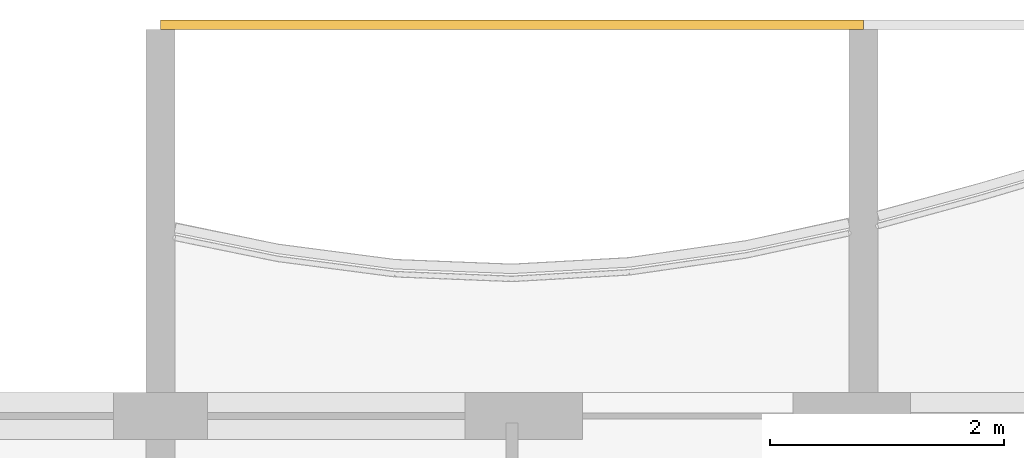
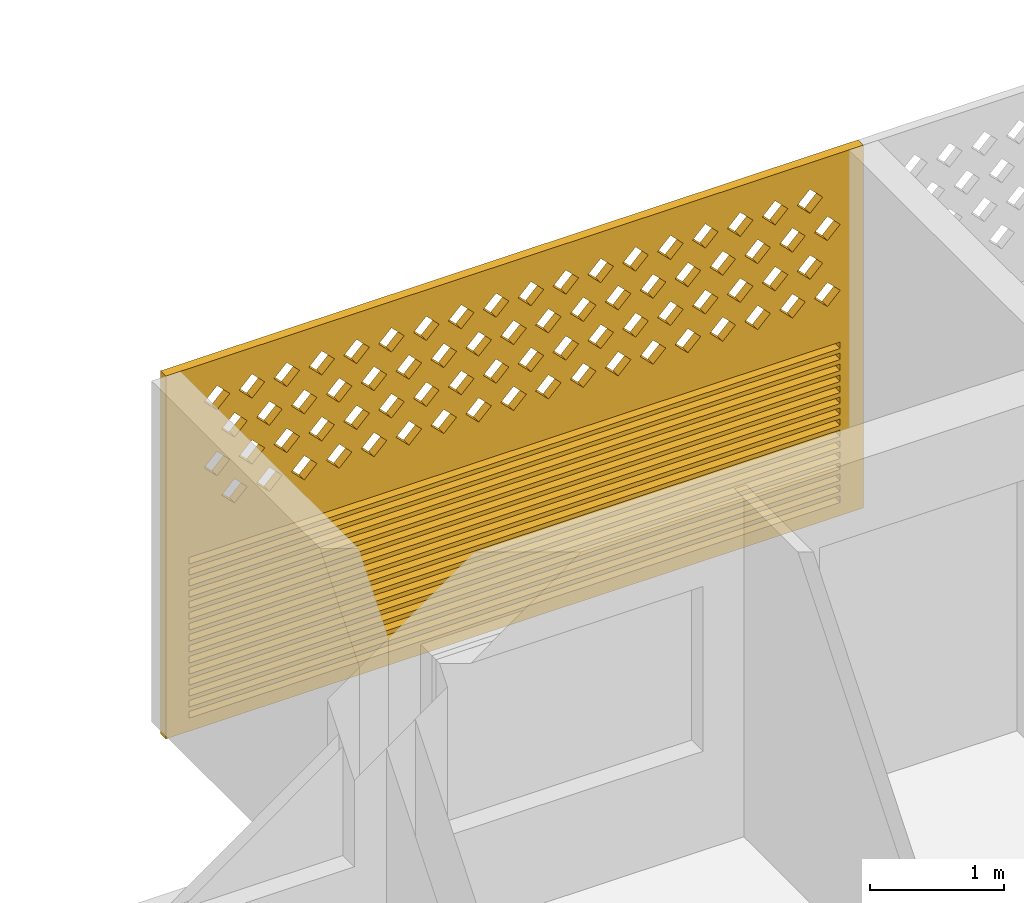
# One storey, part 20 of 26: 1 covering.
"""IFC4 building model written with IfcOpenShell, lengths in metres."""

from ifc_helpers import new_model, si_unit, direction, frame, origin, place, context, subcontext, project, spatial, polyline, outline, extrude, source, transform, mapped, material, material_profile, profile_set, type_object, element, save


model = new_model("IFC4")

# Units and contexts
model_context = context("Model", 3, precision=1e-05, world=origin(), true_north=direction((0.0, 1.0)))
body_context = subcontext(model_context, "Body", "Model", "MODEL_VIEW")
ifc_project = project(units=[si_unit("LENGTHUNIT", "METRE"), si_unit("AREAUNIT", "SQUARE_METRE"), si_unit("VOLUMEUNIT", "CUBIC_METRE"), si_unit("PLANEANGLEUNIT", "RADIAN"), si_unit("MASSUNIT", "GRAM", prefix="KILO")], contexts=[model_context])

# Site, building, storey
site_placement = place(None, origin())
site = spatial("IfcSite", under=ifc_project, at=site_placement, CompositionType="ELEMENT")
building_placement = place(site_placement, origin())
building = spatial("IfcBuilding", under=site, at=building_placement, Name="Poui Terraces", CompositionType="ELEMENT")
storey_placement = place(building_placement, frame((0.0, 0.0, 175.199951171875)))
storey = spatial("IfcBuildingStorey", under=building, at=storey_placement, Name="L48", CompositionType="ELEMENT", Elevation=175.199951171875)

# Covering
ifc_material = material(Name="Terracotta screen", Category="masonry")
ifc_material_profile = material_profile(ifc_material, outline(polyline([(-3.0, -1.64990234375), (3.0, -1.64990234375), (3.0, 1.64990234375), (-3.0, 1.64990234375), (-3.0, -1.64990234375)]), holes=[polyline([(-2.800048828125, 0.39990234375), (-2.68994140625, 0.2900390625), (-2.580078125, 0.39990234375), (-2.68994140625, 0.510009765625), (-2.800048828125, 0.39990234375)]), polyline([(-2.5, 0.39990234375), (-2.389892578125, 0.2900390625), (-2.280029296875, 0.39990234375), (-2.389892578125, 0.510009765625), (-2.5, 0.39990234375)]), polyline([(-2.199951171875, 0.39990234375), (-2.090087890625, 0.2900390625), (-1.97998046875, 0.39990234375), (-2.090087890625, 0.510009765625), (-2.199951171875, 0.39990234375)]), polyline([(-1.89990234375, 0.39990234375), (-1.7900390625, 0.2900390625), (-1.679931640625, 0.39990234375), (-1.7900390625, 0.510009765625), (-1.89990234375, 0.39990234375)]), polyline([(-1.60009765625, 0.39990234375), (-1.489990234375, 0.2900390625), (-1.3798828125, 0.39990234375), (-1.489990234375, 0.510009765625), (-1.60009765625, 0.39990234375)]), polyline([(-1.300048828125, 0.39990234375), (-1.18994140625, 0.2900390625), (-1.080078125, 0.39990234375), (-1.18994140625, 0.510009765625), (-1.300048828125, 0.39990234375)]), polyline([(-1.0, 0.39990234375), (-0.889892578125, 0.2900390625), (-0.780029296875, 0.39990234375), (-0.889892578125, 0.510009765625), (-1.0, 0.39990234375)]), polyline([(-0.699951171875, 0.39990234375), (-0.590087890625, 0.2900390625), (-0.47998046875, 0.39990234375), (-0.590087890625, 0.510009765625), (-0.699951171875, 0.39990234375)]), polyline([(-0.39990234375, 0.39990234375), (-0.2900390625, 0.2900390625), (-0.179931640625, 0.39990234375), (-0.2900390625, 0.510009765625), (-0.39990234375, 0.39990234375)]), polyline([(-0.10009765625, 0.39990234375), (0.010009765625, 0.2900390625), (0.1201171875, 0.39990234375), (0.010009765625, 0.510009765625), (-0.10009765625, 0.39990234375)]), polyline([(0.199951171875, 0.39990234375), (0.31005859375, 0.2900390625), (0.419921875, 0.39990234375), (0.31005859375, 0.510009765625), (0.199951171875, 0.39990234375)]), polyline([(0.5, 0.39990234375), (0.610107421875, 0.2900390625), (0.719970703125, 0.39990234375), (0.610107421875, 0.510009765625), (0.5, 0.39990234375)]), polyline([(0.800048828125, 0.39990234375), (0.909912109375, 0.2900390625), (1.02001953125, 0.39990234375), (0.909912109375, 0.510009765625), (0.800048828125, 0.39990234375)]), polyline([(1.10009765625, 0.39990234375), (1.2099609375, 0.2900390625), (1.320068359375, 0.39990234375), (1.2099609375, 0.510009765625), (1.10009765625, 0.39990234375)]), polyline([(1.39990234375, 0.39990234375), (1.510009765625, 0.2900390625), (1.6201171875, 0.39990234375), (1.510009765625, 0.510009765625), (1.39990234375, 0.39990234375)]), polyline([(1.699951171875, 0.39990234375), (1.81005859375, 0.2900390625), (1.919921875, 0.39990234375), (1.81005859375, 0.510009765625), (1.699951171875, 0.39990234375)]), polyline([(2.0, 0.39990234375), (2.110107421875, 0.2900390625), (2.219970703125, 0.39990234375), (2.110107421875, 0.510009765625), (2.0, 0.39990234375)]), polyline([(2.300048828125, 0.39990234375), (2.409912109375, 0.2900390625), (2.52001953125, 0.39990234375), (2.409912109375, 0.510009765625), (2.300048828125, 0.39990234375)]), polyline([(-2.64990234375, 0.699951171875), (-2.5400390625, 0.590087890625), (-2.429931640625, 0.699951171875), (-2.5400390625, 0.81005859375), (-2.64990234375, 0.699951171875)]), polyline([(-2.35009765625, 0.699951171875), (-2.239990234375, 0.590087890625), (-2.1298828125, 0.699951171875), (-2.239990234375, 0.81005859375), (-2.35009765625, 0.699951171875)]), polyline([(-2.050048828125, 0.699951171875), (-1.93994140625, 0.590087890625), (-1.830078125, 0.699951171875), (-1.93994140625, 0.81005859375), (-2.050048828125, 0.699951171875)]), polyline([(-1.75, 0.699951171875), (-1.639892578125, 0.590087890625), (-1.530029296875, 0.699951171875), (-1.639892578125, 0.81005859375), (-1.75, 0.699951171875)]), polyline([(-1.449951171875, 0.699951171875), (-1.340087890625, 0.590087890625), (-1.22998046875, 0.699951171875), (-1.340087890625, 0.81005859375), (-1.449951171875, 0.699951171875)]), polyline([(-1.14990234375, 0.699951171875), (-1.0400390625, 0.590087890625), (-0.929931640625, 0.699951171875), (-1.0400390625, 0.81005859375), (-1.14990234375, 0.699951171875)]), polyline([(-0.85009765625, 0.699951171875), (-0.739990234375, 0.590087890625), (-0.6298828125, 0.699951171875), (-0.739990234375, 0.81005859375), (-0.85009765625, 0.699951171875)]), polyline([(-0.550048828125, 0.699951171875), (-0.43994140625, 0.590087890625), (-0.330078125, 0.699951171875), (-0.43994140625, 0.81005859375), (-0.550048828125, 0.699951171875)]), polyline([(-0.25, 0.699951171875), (-0.139892578125, 0.590087890625), (-0.030029296875, 0.699951171875), (-0.139892578125, 0.81005859375), (-0.25, 0.699951171875)]), polyline([(0.050048828125, 0.699951171875), (0.159912109375, 0.590087890625), (0.27001953125, 0.699951171875), (0.159912109375, 0.81005859375), (0.050048828125, 0.699951171875)]), polyline([(0.35009765625, 0.699951171875), (0.4599609375, 0.590087890625), (0.570068359375, 0.699951171875), (0.4599609375, 0.81005859375), (0.35009765625, 0.699951171875)]), polyline([(0.64990234375, 0.699951171875), (0.760009765625, 0.590087890625), (0.8701171875, 0.699951171875), (0.760009765625, 0.81005859375), (0.64990234375, 0.699951171875)]), polyline([(0.949951171875, 0.699951171875), (1.06005859375, 0.590087890625), (1.169921875, 0.699951171875), (1.06005859375, 0.81005859375), (0.949951171875, 0.699951171875)]), polyline([(1.25, 0.699951171875), (1.360107421875, 0.590087890625), (1.469970703125, 0.699951171875), (1.360107421875, 0.81005859375), (1.25, 0.699951171875)]), polyline([(1.550048828125, 0.699951171875), (1.659912109375, 0.590087890625), (1.77001953125, 0.699951171875), (1.659912109375, 0.81005859375), (1.550048828125, 0.699951171875)]), polyline([(1.85009765625, 0.699951171875), (1.9599609375, 0.590087890625), (2.070068359375, 0.699951171875), (1.9599609375, 0.81005859375), (1.85009765625, 0.699951171875)]), polyline([(2.14990234375, 0.699951171875), (2.260009765625, 0.590087890625), (2.3701171875, 0.699951171875), (2.260009765625, 0.81005859375), (2.14990234375, 0.699951171875)]), polyline([(2.449951171875, 0.699951171875), (2.56005859375, 0.590087890625), (2.669921875, 0.699951171875), (2.56005859375, 0.81005859375), (2.449951171875, 0.699951171875)]), polyline([(-2.800048828125, 1.0), (-2.68994140625, 0.889892578125), (-2.580078125, 1.0), (-2.68994140625, 1.110107421875), (-2.800048828125, 1.0)]), polyline([(-2.5, 1.0), (-2.389892578125, 0.889892578125), (-2.280029296875, 1.0), (-2.389892578125, 1.110107421875), (-2.5, 1.0)]), polyline([(-2.199951171875, 1.0), (-2.090087890625, 0.889892578125), (-1.97998046875, 1.0), (-2.090087890625, 1.110107421875), (-2.199951171875, 1.0)]), polyline([(-1.89990234375, 1.0), (-1.7900390625, 0.889892578125), (-1.679931640625, 1.0), (-1.7900390625, 1.110107421875), (-1.89990234375, 1.0)]), polyline([(-1.60009765625, 1.0), (-1.489990234375, 0.889892578125), (-1.3798828125, 1.0), (-1.489990234375, 1.110107421875), (-1.60009765625, 1.0)]), polyline([(-1.300048828125, 1.0), (-1.18994140625, 0.889892578125), (-1.080078125, 1.0), (-1.18994140625, 1.110107421875), (-1.300048828125, 1.0)]), polyline([(-1.0, 1.0), (-0.889892578125, 0.889892578125), (-0.780029296875, 1.0), (-0.889892578125, 1.110107421875), (-1.0, 1.0)]), polyline([(-0.699951171875, 1.0), (-0.590087890625, 0.889892578125), (-0.47998046875, 1.0), (-0.590087890625, 1.110107421875), (-0.699951171875, 1.0)]), polyline([(-0.39990234375, 1.0), (-0.2900390625, 0.889892578125), (-0.179931640625, 1.0), (-0.2900390625, 1.110107421875), (-0.39990234375, 1.0)]), polyline([(-0.10009765625, 1.0), (0.010009765625, 0.889892578125), (0.1201171875, 1.0), (0.010009765625, 1.110107421875), (-0.10009765625, 1.0)]), polyline([(0.199951171875, 1.0), (0.31005859375, 0.889892578125), (0.419921875, 1.0), (0.31005859375, 1.110107421875), (0.199951171875, 1.0)]), polyline([(0.5, 1.0), (0.610107421875, 0.889892578125), (0.719970703125, 1.0), (0.610107421875, 1.110107421875), (0.5, 1.0)]), polyline([(0.800048828125, 1.0), (0.909912109375, 0.889892578125), (1.02001953125, 1.0), (0.909912109375, 1.110107421875), (0.800048828125, 1.0)]), polyline([(1.10009765625, 1.0), (1.2099609375, 0.889892578125), (1.320068359375, 1.0), (1.2099609375, 1.110107421875), (1.10009765625, 1.0)]), polyline([(1.39990234375, 1.0), (1.510009765625, 0.889892578125), (1.6201171875, 1.0), (1.510009765625, 1.110107421875), (1.39990234375, 1.0)]), polyline([(1.699951171875, 1.0), (1.81005859375, 0.889892578125), (1.919921875, 1.0), (1.81005859375, 1.110107421875), (1.699951171875, 1.0)]), polyline([(2.0, 1.0), (2.110107421875, 0.889892578125), (2.219970703125, 1.0), (2.110107421875, 1.110107421875), (2.0, 1.0)]), polyline([(2.300048828125, 1.0), (2.409912109375, 0.889892578125), (2.52001953125, 1.0), (2.409912109375, 1.110107421875), (2.300048828125, 1.0)]), polyline([(-2.64990234375, 1.300048828125), (-2.5400390625, 1.18994140625), (-2.429931640625, 1.300048828125), (-2.5400390625, 1.409912109375), (-2.64990234375, 1.300048828125)]), polyline([(-2.35009765625, 1.300048828125), (-2.239990234375, 1.18994140625), (-2.1298828125, 1.300048828125), (-2.239990234375, 1.409912109375), (-2.35009765625, 1.300048828125)]), polyline([(-2.050048828125, 1.300048828125), (-1.93994140625, 1.18994140625), (-1.830078125, 1.300048828125), (-1.93994140625, 1.409912109375), (-2.050048828125, 1.300048828125)]), polyline([(-1.75, 1.300048828125), (-1.639892578125, 1.18994140625), (-1.530029296875, 1.300048828125), (-1.639892578125, 1.409912109375), (-1.75, 1.300048828125)]), polyline([(-1.449951171875, 1.300048828125), (-1.340087890625, 1.18994140625), (-1.22998046875, 1.300048828125), (-1.340087890625, 1.409912109375), (-1.449951171875, 1.300048828125)]), polyline([(-1.14990234375, 1.300048828125), (-1.0400390625, 1.18994140625), (-0.929931640625, 1.300048828125), (-1.0400390625, 1.409912109375), (-1.14990234375, 1.300048828125)]), polyline([(-0.85009765625, 1.300048828125), (-0.739990234375, 1.18994140625), (-0.6298828125, 1.300048828125), (-0.739990234375, 1.409912109375), (-0.85009765625, 1.300048828125)]), polyline([(-0.550048828125, 1.300048828125), (-0.43994140625, 1.18994140625), (-0.330078125, 1.300048828125), (-0.43994140625, 1.409912109375), (-0.550048828125, 1.300048828125)]), polyline([(-0.25, 1.300048828125), (-0.139892578125, 1.18994140625), (-0.030029296875, 1.300048828125), (-0.139892578125, 1.409912109375), (-0.25, 1.300048828125)]), polyline([(0.050048828125, 1.300048828125), (0.159912109375, 1.18994140625), (0.27001953125, 1.300048828125), (0.159912109375, 1.409912109375), (0.050048828125, 1.300048828125)]), polyline([(0.35009765625, 1.300048828125), (0.4599609375, 1.18994140625), (0.570068359375, 1.300048828125), (0.4599609375, 1.409912109375), (0.35009765625, 1.300048828125)]), polyline([(0.64990234375, 1.300048828125), (0.760009765625, 1.18994140625), (0.8701171875, 1.300048828125), (0.760009765625, 1.409912109375), (0.64990234375, 1.300048828125)]), polyline([(0.949951171875, 1.300048828125), (1.06005859375, 1.18994140625), (1.169921875, 1.300048828125), (1.06005859375, 1.409912109375), (0.949951171875, 1.300048828125)]), polyline([(1.25, 1.300048828125), (1.360107421875, 1.18994140625), (1.469970703125, 1.300048828125), (1.360107421875, 1.409912109375), (1.25, 1.300048828125)]), polyline([(1.550048828125, 1.300048828125), (1.659912109375, 1.18994140625), (1.77001953125, 1.300048828125), (1.659912109375, 1.409912109375), (1.550048828125, 1.300048828125)]), polyline([(1.85009765625, 1.300048828125), (1.9599609375, 1.18994140625), (2.070068359375, 1.300048828125), (1.9599609375, 1.409912109375), (1.85009765625, 1.300048828125)]), polyline([(2.14990234375, 1.300048828125), (2.260009765625, 1.18994140625), (2.3701171875, 1.300048828125), (2.260009765625, 1.409912109375), (2.14990234375, 1.300048828125)]), polyline([(2.449951171875, 1.300048828125), (2.56005859375, 1.18994140625), (2.669921875, 1.300048828125), (2.56005859375, 1.409912109375), (2.449951171875, 1.300048828125)]), polyline([(-2.800048828125, -1.530029296875), (2.800048828125, -1.530029296875), (2.800048828125, -1.469970703125), (-2.800048828125, -1.469970703125), (-2.800048828125, -1.530029296875)]), polyline([(-2.800048828125, -1.429931640625), (2.800048828125, -1.429931640625), (2.800048828125, -1.3701171875), (-2.800048828125, -1.3701171875), (-2.800048828125, -1.429931640625)]), polyline([(-2.800048828125, -1.330078125), (2.800048828125, -1.330078125), (2.800048828125, -1.27001953125), (-2.800048828125, -1.27001953125), (-2.800048828125, -1.330078125)]), polyline([(-2.800048828125, -1.22998046875), (2.800048828125, -1.22998046875), (2.800048828125, -1.169921875), (-2.800048828125, -1.169921875), (-2.800048828125, -1.22998046875)]), polyline([(-2.800048828125, -1.1298828125), (2.800048828125, -1.1298828125), (2.800048828125, -1.070068359375), (-2.800048828125, -1.070068359375), (-2.800048828125, -1.1298828125)]), polyline([(-2.800048828125, -1.030029296875), (2.800048828125, -1.030029296875), (2.800048828125, -0.969970703125), (-2.800048828125, -0.969970703125), (-2.800048828125, -1.030029296875)]), polyline([(-2.800048828125, -0.929931640625), (2.800048828125, -0.929931640625), (2.800048828125, -0.8701171875), (-2.800048828125, -0.8701171875), (-2.800048828125, -0.929931640625)]), polyline([(-2.800048828125, -0.830078125), (2.800048828125, -0.830078125), (2.800048828125, -0.77001953125), (-2.800048828125, -0.77001953125), (-2.800048828125, -0.830078125)]), polyline([(-2.800048828125, -0.72998046875), (2.800048828125, -0.72998046875), (2.800048828125, -0.669921875), (-2.800048828125, -0.669921875), (-2.800048828125, -0.72998046875)]), polyline([(-2.800048828125, -0.6298828125), (2.800048828125, -0.6298828125), (2.800048828125, -0.570068359375), (-2.800048828125, -0.570068359375), (-2.800048828125, -0.6298828125)]), polyline([(-2.800048828125, -0.530029296875), (2.800048828125, -0.530029296875), (2.800048828125, -0.469970703125), (-2.800048828125, -0.469970703125), (-2.800048828125, -0.530029296875)]), polyline([(-2.800048828125, -0.429931640625), (2.800048828125, -0.429931640625), (2.800048828125, -0.3701171875), (-2.800048828125, -0.3701171875), (-2.800048828125, -0.429931640625)]), polyline([(-2.800048828125, -0.330078125), (2.800048828125, -0.330078125), (2.800048828125, -0.27001953125), (-2.800048828125, -0.27001953125), (-2.800048828125, -0.330078125)]), polyline([(-2.800048828125, -0.22998046875), (2.800048828125, -0.22998046875), (2.800048828125, -0.169921875), (-2.800048828125, -0.169921875), (-2.800048828125, -0.22998046875)]), polyline([(-2.800048828125, -0.1298828125), (2.800048828125, -0.1298828125), (2.800048828125, -0.070068359375), (-2.800048828125, -0.070068359375), (-2.800048828125, -0.1298828125)])]), Name="TERRACOTTA SCREEN AND JALOUSIE LOUVRE 6000X3300")
ifc_profile_set = profile_set([ifc_material_profile], Name="Terracotta screen")
covering_type = type_object("IfcCoveringType", Name="TERRACOTTA SCREEN AND JALOUSIE LOUVRE 6000X3300", PredefinedType="CLADDING", material=ifc_profile_set)
shared_shape = source(origin(), body_context, "Body", "SweptSolid", [
    extrude(outline(polyline([(-3.0, -1.64990234375), (3.0, -1.64990234375), (3.0, 1.64990234375), (-3.0, 1.64990234375), (-3.0, -1.64990234375)]), holes=[polyline([(-2.800048828125, 0.39990234375), (-2.68994140625, 0.2900390625), (-2.580078125, 0.39990234375), (-2.68994140625, 0.510009765625), (-2.800048828125, 0.39990234375)]), polyline([(-2.5, 0.39990234375), (-2.389892578125, 0.2900390625), (-2.280029296875, 0.39990234375), (-2.389892578125, 0.510009765625), (-2.5, 0.39990234375)]), polyline([(-2.199951171875, 0.39990234375), (-2.090087890625, 0.2900390625), (-1.97998046875, 0.39990234375), (-2.090087890625, 0.510009765625), (-2.199951171875, 0.39990234375)]), polyline([(-1.89990234375, 0.39990234375), (-1.7900390625, 0.2900390625), (-1.679931640625, 0.39990234375), (-1.7900390625, 0.510009765625), (-1.89990234375, 0.39990234375)]), polyline([(-1.60009765625, 0.39990234375), (-1.489990234375, 0.2900390625), (-1.3798828125, 0.39990234375), (-1.489990234375, 0.510009765625), (-1.60009765625, 0.39990234375)]), polyline([(-1.300048828125, 0.39990234375), (-1.18994140625, 0.2900390625), (-1.080078125, 0.39990234375), (-1.18994140625, 0.510009765625), (-1.300048828125, 0.39990234375)]), polyline([(-1.0, 0.39990234375), (-0.889892578125, 0.2900390625), (-0.780029296875, 0.39990234375), (-0.889892578125, 0.510009765625), (-1.0, 0.39990234375)]), polyline([(-0.699951171875, 0.39990234375), (-0.590087890625, 0.2900390625), (-0.47998046875, 0.39990234375), (-0.590087890625, 0.510009765625), (-0.699951171875, 0.39990234375)]), polyline([(-0.39990234375, 0.39990234375), (-0.2900390625, 0.2900390625), (-0.179931640625, 0.39990234375), (-0.2900390625, 0.510009765625), (-0.39990234375, 0.39990234375)]), polyline([(-0.10009765625, 0.39990234375), (0.010009765625, 0.2900390625), (0.1201171875, 0.39990234375), (0.010009765625, 0.510009765625), (-0.10009765625, 0.39990234375)]), polyline([(0.199951171875, 0.39990234375), (0.31005859375, 0.2900390625), (0.419921875, 0.39990234375), (0.31005859375, 0.510009765625), (0.199951171875, 0.39990234375)]), polyline([(0.5, 0.39990234375), (0.610107421875, 0.2900390625), (0.719970703125, 0.39990234375), (0.610107421875, 0.510009765625), (0.5, 0.39990234375)]), polyline([(0.800048828125, 0.39990234375), (0.909912109375, 0.2900390625), (1.02001953125, 0.39990234375), (0.909912109375, 0.510009765625), (0.800048828125, 0.39990234375)]), polyline([(1.10009765625, 0.39990234375), (1.2099609375, 0.2900390625), (1.320068359375, 0.39990234375), (1.2099609375, 0.510009765625), (1.10009765625, 0.39990234375)]), polyline([(1.39990234375, 0.39990234375), (1.510009765625, 0.2900390625), (1.6201171875, 0.39990234375), (1.510009765625, 0.510009765625), (1.39990234375, 0.39990234375)]), polyline([(1.699951171875, 0.39990234375), (1.81005859375, 0.2900390625), (1.919921875, 0.39990234375), (1.81005859375, 0.510009765625), (1.699951171875, 0.39990234375)]), polyline([(2.0, 0.39990234375), (2.110107421875, 0.2900390625), (2.219970703125, 0.39990234375), (2.110107421875, 0.510009765625), (2.0, 0.39990234375)]), polyline([(2.300048828125, 0.39990234375), (2.409912109375, 0.2900390625), (2.52001953125, 0.39990234375), (2.409912109375, 0.510009765625), (2.300048828125, 0.39990234375)]), polyline([(-2.64990234375, 0.699951171875), (-2.5400390625, 0.590087890625), (-2.429931640625, 0.699951171875), (-2.5400390625, 0.81005859375), (-2.64990234375, 0.699951171875)]), polyline([(-2.35009765625, 0.699951171875), (-2.239990234375, 0.590087890625), (-2.1298828125, 0.699951171875), (-2.239990234375, 0.81005859375), (-2.35009765625, 0.699951171875)]), polyline([(-2.050048828125, 0.699951171875), (-1.93994140625, 0.590087890625), (-1.830078125, 0.699951171875), (-1.93994140625, 0.81005859375), (-2.050048828125, 0.699951171875)]), polyline([(-1.75, 0.699951171875), (-1.639892578125, 0.590087890625), (-1.530029296875, 0.699951171875), (-1.639892578125, 0.81005859375), (-1.75, 0.699951171875)]), polyline([(-1.449951171875, 0.699951171875), (-1.340087890625, 0.590087890625), (-1.22998046875, 0.699951171875), (-1.340087890625, 0.81005859375), (-1.449951171875, 0.699951171875)]), polyline([(-1.14990234375, 0.699951171875), (-1.0400390625, 0.590087890625), (-0.929931640625, 0.699951171875), (-1.0400390625, 0.81005859375), (-1.14990234375, 0.699951171875)]), polyline([(-0.85009765625, 0.699951171875), (-0.739990234375, 0.590087890625), (-0.6298828125, 0.699951171875), (-0.739990234375, 0.81005859375), (-0.85009765625, 0.699951171875)]), polyline([(-0.550048828125, 0.699951171875), (-0.43994140625, 0.590087890625), (-0.330078125, 0.699951171875), (-0.43994140625, 0.81005859375), (-0.550048828125, 0.699951171875)]), polyline([(-0.25, 0.699951171875), (-0.139892578125, 0.590087890625), (-0.030029296875, 0.699951171875), (-0.139892578125, 0.81005859375), (-0.25, 0.699951171875)]), polyline([(0.050048828125, 0.699951171875), (0.159912109375, 0.590087890625), (0.27001953125, 0.699951171875), (0.159912109375, 0.81005859375), (0.050048828125, 0.699951171875)]), polyline([(0.35009765625, 0.699951171875), (0.4599609375, 0.590087890625), (0.570068359375, 0.699951171875), (0.4599609375, 0.81005859375), (0.35009765625, 0.699951171875)]), polyline([(0.64990234375, 0.699951171875), (0.760009765625, 0.590087890625), (0.8701171875, 0.699951171875), (0.760009765625, 0.81005859375), (0.64990234375, 0.699951171875)]), polyline([(0.949951171875, 0.699951171875), (1.06005859375, 0.590087890625), (1.169921875, 0.699951171875), (1.06005859375, 0.81005859375), (0.949951171875, 0.699951171875)]), polyline([(1.25, 0.699951171875), (1.360107421875, 0.590087890625), (1.469970703125, 0.699951171875), (1.360107421875, 0.81005859375), (1.25, 0.699951171875)]), polyline([(1.550048828125, 0.699951171875), (1.659912109375, 0.590087890625), (1.77001953125, 0.699951171875), (1.659912109375, 0.81005859375), (1.550048828125, 0.699951171875)]), polyline([(1.85009765625, 0.699951171875), (1.9599609375, 0.590087890625), (2.070068359375, 0.699951171875), (1.9599609375, 0.81005859375), (1.85009765625, 0.699951171875)]), polyline([(2.14990234375, 0.699951171875), (2.260009765625, 0.590087890625), (2.3701171875, 0.699951171875), (2.260009765625, 0.81005859375), (2.14990234375, 0.699951171875)]), polyline([(2.449951171875, 0.699951171875), (2.56005859375, 0.590087890625), (2.669921875, 0.699951171875), (2.56005859375, 0.81005859375), (2.449951171875, 0.699951171875)]), polyline([(-2.800048828125, 1.0), (-2.68994140625, 0.889892578125), (-2.580078125, 1.0), (-2.68994140625, 1.110107421875), (-2.800048828125, 1.0)]), polyline([(-2.5, 1.0), (-2.389892578125, 0.889892578125), (-2.280029296875, 1.0), (-2.389892578125, 1.110107421875), (-2.5, 1.0)]), polyline([(-2.199951171875, 1.0), (-2.090087890625, 0.889892578125), (-1.97998046875, 1.0), (-2.090087890625, 1.110107421875), (-2.199951171875, 1.0)]), polyline([(-1.89990234375, 1.0), (-1.7900390625, 0.889892578125), (-1.679931640625, 1.0), (-1.7900390625, 1.110107421875), (-1.89990234375, 1.0)]), polyline([(-1.60009765625, 1.0), (-1.489990234375, 0.889892578125), (-1.3798828125, 1.0), (-1.489990234375, 1.110107421875), (-1.60009765625, 1.0)]), polyline([(-1.300048828125, 1.0), (-1.18994140625, 0.889892578125), (-1.080078125, 1.0), (-1.18994140625, 1.110107421875), (-1.300048828125, 1.0)]), polyline([(-1.0, 1.0), (-0.889892578125, 0.889892578125), (-0.780029296875, 1.0), (-0.889892578125, 1.110107421875), (-1.0, 1.0)]), polyline([(-0.699951171875, 1.0), (-0.590087890625, 0.889892578125), (-0.47998046875, 1.0), (-0.590087890625, 1.110107421875), (-0.699951171875, 1.0)]), polyline([(-0.39990234375, 1.0), (-0.2900390625, 0.889892578125), (-0.179931640625, 1.0), (-0.2900390625, 1.110107421875), (-0.39990234375, 1.0)]), polyline([(-0.10009765625, 1.0), (0.010009765625, 0.889892578125), (0.1201171875, 1.0), (0.010009765625, 1.110107421875), (-0.10009765625, 1.0)]), polyline([(0.199951171875, 1.0), (0.31005859375, 0.889892578125), (0.419921875, 1.0), (0.31005859375, 1.110107421875), (0.199951171875, 1.0)]), polyline([(0.5, 1.0), (0.610107421875, 0.889892578125), (0.719970703125, 1.0), (0.610107421875, 1.110107421875), (0.5, 1.0)]), polyline([(0.800048828125, 1.0), (0.909912109375, 0.889892578125), (1.02001953125, 1.0), (0.909912109375, 1.110107421875), (0.800048828125, 1.0)]), polyline([(1.10009765625, 1.0), (1.2099609375, 0.889892578125), (1.320068359375, 1.0), (1.2099609375, 1.110107421875), (1.10009765625, 1.0)]), polyline([(1.39990234375, 1.0), (1.510009765625, 0.889892578125), (1.6201171875, 1.0), (1.510009765625, 1.110107421875), (1.39990234375, 1.0)]), polyline([(1.699951171875, 1.0), (1.81005859375, 0.889892578125), (1.919921875, 1.0), (1.81005859375, 1.110107421875), (1.699951171875, 1.0)]), polyline([(2.0, 1.0), (2.110107421875, 0.889892578125), (2.219970703125, 1.0), (2.110107421875, 1.110107421875), (2.0, 1.0)]), polyline([(2.300048828125, 1.0), (2.409912109375, 0.889892578125), (2.52001953125, 1.0), (2.409912109375, 1.110107421875), (2.300048828125, 1.0)]), polyline([(-2.64990234375, 1.300048828125), (-2.5400390625, 1.18994140625), (-2.429931640625, 1.300048828125), (-2.5400390625, 1.409912109375), (-2.64990234375, 1.300048828125)]), polyline([(-2.35009765625, 1.300048828125), (-2.239990234375, 1.18994140625), (-2.1298828125, 1.300048828125), (-2.239990234375, 1.409912109375), (-2.35009765625, 1.300048828125)]), polyline([(-2.050048828125, 1.300048828125), (-1.93994140625, 1.18994140625), (-1.830078125, 1.300048828125), (-1.93994140625, 1.409912109375), (-2.050048828125, 1.300048828125)]), polyline([(-1.75, 1.300048828125), (-1.639892578125, 1.18994140625), (-1.530029296875, 1.300048828125), (-1.639892578125, 1.409912109375), (-1.75, 1.300048828125)]), polyline([(-1.449951171875, 1.300048828125), (-1.340087890625, 1.18994140625), (-1.22998046875, 1.300048828125), (-1.340087890625, 1.409912109375), (-1.449951171875, 1.300048828125)]), polyline([(-1.14990234375, 1.300048828125), (-1.0400390625, 1.18994140625), (-0.929931640625, 1.300048828125), (-1.0400390625, 1.409912109375), (-1.14990234375, 1.300048828125)]), polyline([(-0.85009765625, 1.300048828125), (-0.739990234375, 1.18994140625), (-0.6298828125, 1.300048828125), (-0.739990234375, 1.409912109375), (-0.85009765625, 1.300048828125)]), polyline([(-0.550048828125, 1.300048828125), (-0.43994140625, 1.18994140625), (-0.330078125, 1.300048828125), (-0.43994140625, 1.409912109375), (-0.550048828125, 1.300048828125)]), polyline([(-0.25, 1.300048828125), (-0.139892578125, 1.18994140625), (-0.030029296875, 1.300048828125), (-0.139892578125, 1.409912109375), (-0.25, 1.300048828125)]), polyline([(0.050048828125, 1.300048828125), (0.159912109375, 1.18994140625), (0.27001953125, 1.300048828125), (0.159912109375, 1.409912109375), (0.050048828125, 1.300048828125)]), polyline([(0.35009765625, 1.300048828125), (0.4599609375, 1.18994140625), (0.570068359375, 1.300048828125), (0.4599609375, 1.409912109375), (0.35009765625, 1.300048828125)]), polyline([(0.64990234375, 1.300048828125), (0.760009765625, 1.18994140625), (0.8701171875, 1.300048828125), (0.760009765625, 1.409912109375), (0.64990234375, 1.300048828125)]), polyline([(0.949951171875, 1.300048828125), (1.06005859375, 1.18994140625), (1.169921875, 1.300048828125), (1.06005859375, 1.409912109375), (0.949951171875, 1.300048828125)]), polyline([(1.25, 1.300048828125), (1.360107421875, 1.18994140625), (1.469970703125, 1.300048828125), (1.360107421875, 1.409912109375), (1.25, 1.300048828125)]), polyline([(1.550048828125, 1.300048828125), (1.659912109375, 1.18994140625), (1.77001953125, 1.300048828125), (1.659912109375, 1.409912109375), (1.550048828125, 1.300048828125)]), polyline([(1.85009765625, 1.300048828125), (1.9599609375, 1.18994140625), (2.070068359375, 1.300048828125), (1.9599609375, 1.409912109375), (1.85009765625, 1.300048828125)]), polyline([(2.14990234375, 1.300048828125), (2.260009765625, 1.18994140625), (2.3701171875, 1.300048828125), (2.260009765625, 1.409912109375), (2.14990234375, 1.300048828125)]), polyline([(2.449951171875, 1.300048828125), (2.56005859375, 1.18994140625), (2.669921875, 1.300048828125), (2.56005859375, 1.409912109375), (2.449951171875, 1.300048828125)]), polyline([(-2.800048828125, -1.530029296875), (2.800048828125, -1.530029296875), (2.800048828125, -1.469970703125), (-2.800048828125, -1.469970703125), (-2.800048828125, -1.530029296875)]), polyline([(-2.800048828125, -1.429931640625), (2.800048828125, -1.429931640625), (2.800048828125, -1.3701171875), (-2.800048828125, -1.3701171875), (-2.800048828125, -1.429931640625)]), polyline([(-2.800048828125, -1.330078125), (2.800048828125, -1.330078125), (2.800048828125, -1.27001953125), (-2.800048828125, -1.27001953125), (-2.800048828125, -1.330078125)]), polyline([(-2.800048828125, -1.22998046875), (2.800048828125, -1.22998046875), (2.800048828125, -1.169921875), (-2.800048828125, -1.169921875), (-2.800048828125, -1.22998046875)]), polyline([(-2.800048828125, -1.1298828125), (2.800048828125, -1.1298828125), (2.800048828125, -1.070068359375), (-2.800048828125, -1.070068359375), (-2.800048828125, -1.1298828125)]), polyline([(-2.800048828125, -1.030029296875), (2.800048828125, -1.030029296875), (2.800048828125, -0.969970703125), (-2.800048828125, -0.969970703125), (-2.800048828125, -1.030029296875)]), polyline([(-2.800048828125, -0.929931640625), (2.800048828125, -0.929931640625), (2.800048828125, -0.8701171875), (-2.800048828125, -0.8701171875), (-2.800048828125, -0.929931640625)]), polyline([(-2.800048828125, -0.830078125), (2.800048828125, -0.830078125), (2.800048828125, -0.77001953125), (-2.800048828125, -0.77001953125), (-2.800048828125, -0.830078125)]), polyline([(-2.800048828125, -0.72998046875), (2.800048828125, -0.72998046875), (2.800048828125, -0.669921875), (-2.800048828125, -0.669921875), (-2.800048828125, -0.72998046875)]), polyline([(-2.800048828125, -0.6298828125), (2.800048828125, -0.6298828125), (2.800048828125, -0.570068359375), (-2.800048828125, -0.570068359375), (-2.800048828125, -0.6298828125)]), polyline([(-2.800048828125, -0.530029296875), (2.800048828125, -0.530029296875), (2.800048828125, -0.469970703125), (-2.800048828125, -0.469970703125), (-2.800048828125, -0.530029296875)]), polyline([(-2.800048828125, -0.429931640625), (2.800048828125, -0.429931640625), (2.800048828125, -0.3701171875), (-2.800048828125, -0.3701171875), (-2.800048828125, -0.429931640625)]), polyline([(-2.800048828125, -0.330078125), (2.800048828125, -0.330078125), (2.800048828125, -0.27001953125), (-2.800048828125, -0.27001953125), (-2.800048828125, -0.330078125)]), polyline([(-2.800048828125, -0.22998046875), (2.800048828125, -0.22998046875), (2.800048828125, -0.169921875), (-2.800048828125, -0.169921875), (-2.800048828125, -0.22998046875)]), polyline([(-2.800048828125, -0.1298828125), (2.800048828125, -0.1298828125), (2.800048828125, -0.070068359375), (-2.800048828125, -0.070068359375), (-2.800048828125, -0.1298828125)])]), origin(), (0.0, 0.0, 1.0), 0.080078125),
])
covering_placement = place(storey_placement, frame((51.0, 44.5, 1.449951171875), z_axis=(0.0, 1.0, 0.0), x_axis=(-1.0, 0.0, 0.0)))
element("IfcCovering", 1, at=covering_placement, inside=storey, type_object=covering_type, Name="SOLAR SCREEN AND JALOUSIE LOUVRE", PredefinedType="CLADDING", context=body_context, shape_type="MappedRepresentation", body=[
    mapped(shared_shape, transform((0.0, 0.0, 0.0))),
])

save(model, "model.ifc")
